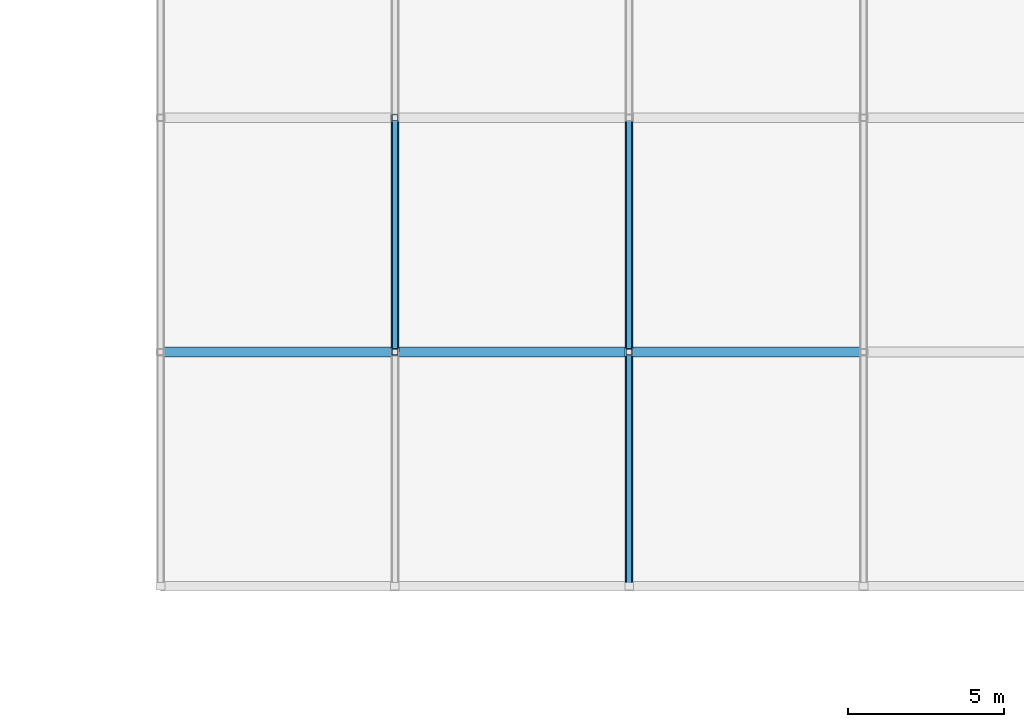
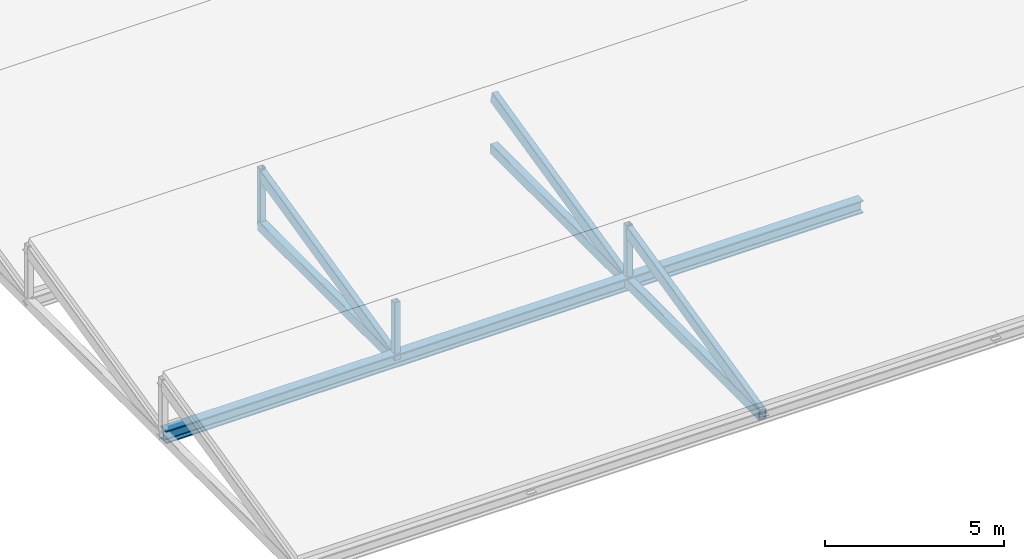
# One storey, part 41 of 82: 10 members.
"""IFC4 building model written with IfcOpenShell, lengths in metres."""

from ifc_helpers import new_model, si_unit, direction, frame, origin, origin_2d, place, context, subcontext, project, spatial, hollow_rectangle, i_section, extrude, material, material_profile, profile_set, type_object, element, save


model = new_model("IFC4")

# Units and contexts
model_context = context("Model", 3, precision=1e-05, world=origin(), true_north=direction((0.0, 1.0)))
body_context = subcontext(model_context, "Body", "Model", "MODEL_VIEW")
ifc_project = project(units=[si_unit("LENGTHUNIT", "METRE"), si_unit("AREAUNIT", "SQUARE_METRE"), si_unit("VOLUMEUNIT", "CUBIC_METRE"), si_unit("PLANEANGLEUNIT", "RADIAN"), si_unit("MASSUNIT", "GRAM", prefix="KILO")], contexts=[model_context])

# Site, building, storey
site_placement = place(None, origin())
site = spatial("IfcSite", under=ifc_project, at=site_placement, CompositionType="ELEMENT")
building_placement = place(site_placement, origin())
building = spatial("IfcBuilding", under=site, at=building_placement, Name="Qasida Concert Hall", CompositionType="ELEMENT")
storey_placement = place(building_placement, frame((0.0, 0.0, 17.10009765625)))
storey = spatial("IfcBuildingStorey", under=building, at=storey_placement, Name="L04", CompositionType="ELEMENT", Elevation=17.10009765625)

# Members
ifc_material = material(Name="Steel S355J2", Category="steel")
ifc_material_profile_1 = material_profile(ifc_material, i_section(OverallWidth=0.306884765625, OverallDepth=0.431884765625, WebThickness=0.02099609375, FlangeThickness=0.0400390625, FilletRadius=0.027099609375, at=origin_2d()), Name="HEM 400")
ifc_profile_set_1 = profile_set([ifc_material_profile_1], Name="Steel S355J2")
member_type_1 = type_object("IfcMemberType", Name="MB-CH3", PredefinedType="CHORD", material=ifc_profile_set_1)
member_placement = place(storey_placement, frame((127.5, 82.5, 0.0), z_axis=(1.0, 0.0, 0.0), x_axis=(0.0, 1.0, 0.0)))
element("IfcMember", 1, at=member_placement, inside=storey, type_object=member_type_1, Name="Roof truss sawtooth bottom chord V4T-003", PredefinedType="CHORD", context=body_context, shape_type="SweptSolid", body=[
    extrude(i_section(OverallWidth=0.306884765625, OverallDepth=0.431884765625, WebThickness=0.02099609375, FlangeThickness=0.0400390625, FilletRadius=0.027099609375, at=origin_2d()), origin(), (0.0, 0.0, 1.0), 22.5),
])
ifc_material_profile_2 = material_profile(ifc_material, hollow_rectangle(XDim=0.199951171875, YDim=0.39990234375, WallThickness=0.01611328125, InnerFilletRadius=0.01611328125, OuterFilletRadius=0.031982421875, at=origin_2d()), Name="RHS 400x200x16")
ifc_profile_set_2 = profile_set([ifc_material_profile_2], Name="Steel S355J2")
member_type_2 = type_object("IfcMemberType", Name="MB-CH4", PredefinedType="CHORD", material=ifc_profile_set_2)
for number, where, z_axis, x_axis, name in (
    (2, (142.5, 75.0, 0.0), (0.0, 0.973841209742, 0.227229615606), (-1.0, 0.0, 0.0), "Roof truss sawtooth rafter V4R-020"),
    (3, (135.0, 82.5, 0.0), (0.0, 0.973841209742, 0.227229615606), (-1.0, 0.0, 0.0), "Roof truss sawtooth rafter V4R-035"),
    (4, (142.5, 82.5, 0.0), (0.0, 0.973841209742, 0.227229615606), (-1.0, 0.0, 0.0), "Roof truss sawtooth rafter V4R-038"),
):
    element("IfcMember", number, at=place(storey_placement, frame(where, z_axis=z_axis, x_axis=x_axis)), inside=storey, type_object=member_type_2, Name=name, PredefinedType="CHORD", context=body_context, shape_type="SweptSolid", body=[
        extrude(hollow_rectangle(XDim=0.199951171875, YDim=0.39990234375, WallThickness=0.01611328125, InnerFilletRadius=0.01611328125, OuterFilletRadius=0.031982421875, at=origin_2d()), origin(), (0.0, 0.0, 1.0), 7.701416015625),
    ])
ifc_material_profile_3 = material_profile(ifc_material, hollow_rectangle(XDim=0.25, YDim=0.35009765625, WallThickness=0.01611328125, InnerFilletRadius=0.01611328125, OuterFilletRadius=0.031982421875, at=origin_2d()), Name="RHS 350x250x16")
ifc_profile_set_3 = profile_set([ifc_material_profile_3], Name="Steel S355J2")
member_type_3 = type_object("IfcMemberType", Name="MB-CH5", PredefinedType="CHORD", material=ifc_profile_set_3)
for number, where, z_axis, x_axis, name in (
    (5, (142.5, 75.0, 0.0), (0.0, 1.0, 0.0), (-1.0, 0.0, 0.0), "Roof truss sawtooth tie V4B-019"),
    (6, (135.0, 82.5, 0.0), (0.0, 1.0, 0.0), (-1.0, 0.0, 0.0), "Roof truss sawtooth tie V4B-034"),
    (7, (142.5, 82.5, 0.0), (0.0, 1.0, 0.0), (-1.0, 0.0, 0.0), "Roof truss sawtooth tie V4B-037"),
):
    element("IfcMember", number, at=place(storey_placement, frame(where, z_axis=z_axis, x_axis=x_axis)), inside=storey, type_object=member_type_3, Name=name, PredefinedType="CHORD", context=body_context, shape_type="SweptSolid", body=[
        extrude(hollow_rectangle(XDim=0.25, YDim=0.35009765625, WallThickness=0.01611328125, InnerFilletRadius=0.01611328125, OuterFilletRadius=0.031982421875, at=origin_2d()), origin(), (0.0, 0.0, 1.0), 7.5),
    ])
ifc_material_profile_4 = material_profile(ifc_material, hollow_rectangle(XDim=0.199951171875, YDim=0.199951171875, WallThickness=0.010009765625, InnerFilletRadius=0.010009765625, OuterFilletRadius=0.02001953125, at=origin_2d()), Name="SHS 200x200x10")
ifc_profile_set_4 = profile_set([ifc_material_profile_4], Name="Steel S355J2")
member_type_4 = type_object("IfcMemberType", Name="MB-ST6", PredefinedType="STRUT", material=ifc_profile_set_4)
for number, where, z_axis, x_axis, name in (
    (8, (135.0, 82.5, 0.0), (0.0, 0.0, 1.0), (1.0, 0.0, 0.0), "Roof truss sawtooth post V4V-018"),
    (9, (142.5, 82.5, 0.0), (0.0, 0.0, 1.0), (1.0, 0.0, 0.0), "Roof truss sawtooth post V4V-021"),
    (10, (135.0, 90.0, 0.0), (0.0, 0.0, 1.0), (1.0, 0.0, 0.0), "Roof truss sawtooth post V4V-036"),
):
    element("IfcMember", number, at=place(storey_placement, frame(where, z_axis=z_axis, x_axis=x_axis)), inside=storey, type_object=member_type_4, Name=name, PredefinedType="STRUT", context=body_context, shape_type="SweptSolid", body=[
        extrude(hollow_rectangle(XDim=0.199951171875, YDim=0.199951171875, WallThickness=0.010009765625, InnerFilletRadius=0.010009765625, OuterFilletRadius=0.02001953125, at=origin_2d()), origin(), (0.0, 0.0, 1.0), 1.9599609375),
    ])

save(model, "model.ifc")
